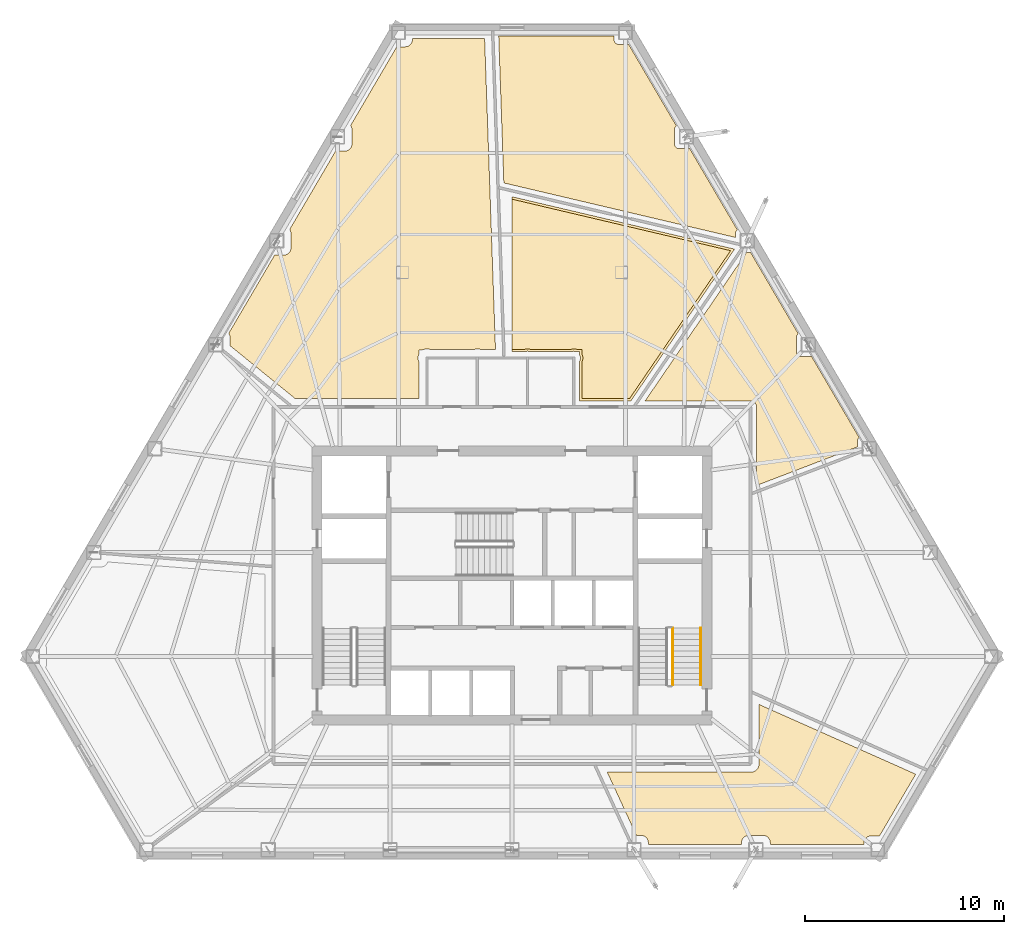
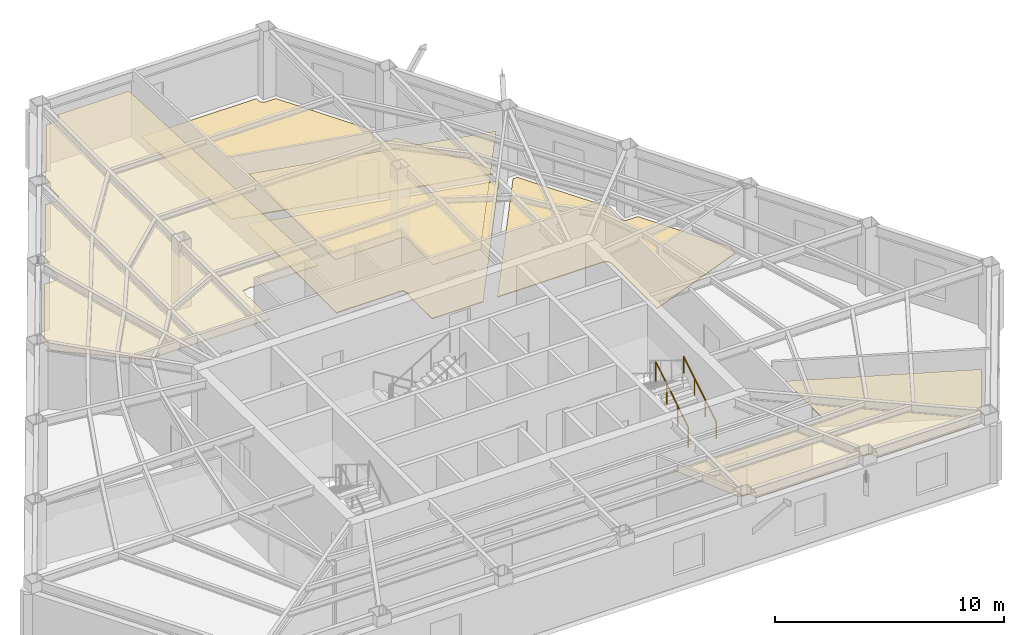
# One storey, part 13 of 13: 6 coverings, 2 railings.
"""IFC4 building model written with IfcOpenShell, lengths in metres."""

from ifc_helpers import new_model, si_unit, direction, frame, origin, origin_2d, place, context, subcontext, project, spatial, polyline, circle, outline, extrude, material, layer, layer_set, type_object, element, save


model = new_model("IFC4")

# Units and contexts
model_context = context("Model", 3, precision=1e-05, world=origin(), true_north=direction((0.0, 1.0)))
body_context = subcontext(model_context, "Body", "Model", "MODEL_VIEW")
ifc_project = project(units=[si_unit("LENGTHUNIT", "METRE"), si_unit("AREAUNIT", "SQUARE_METRE"), si_unit("VOLUMEUNIT", "CUBIC_METRE"), si_unit("PLANEANGLEUNIT", "RADIAN"), si_unit("MASSUNIT", "GRAM", prefix="KILO")], contexts=[model_context])

# Site, building, storey
site_placement = place(None, origin())
site = spatial("IfcSite", under=ifc_project, at=site_placement, CompositionType="ELEMENT")
building_placement = place(site_placement, origin())
building = spatial("IfcBuilding", under=site, at=building_placement, Name="Kavelnor Concourse Tower", CompositionType="ELEMENT")
storey_placement = place(building_placement, frame((0.0, 0.0, 131.699951171875)))
storey = spatial("IfcBuildingStorey", under=building, at=storey_placement, Name="L33", CompositionType="ELEMENT", Elevation=131.699951171875)

# Coverings
ifc_material_1 = material(Name="Mineral fibre acoustic ceiling tile")
ifc_layer_1 = layer(ifc_material_1, 0.0400390625, Name="Mineral fibre acoustic ceiling tile")
ifc_layer_set_1 = layer_set([ifc_layer_1], Name="Mineral fibre acoustic ceiling tile")
covering_type_1 = type_object("IfcCoveringType", Name="COV-CEILING-ACOUSTIC", PredefinedType="CEILING", material=ifc_layer_set_1)
covering_1_placement = place(storey_placement, frame((0.0, 0.0, 2.75)))
element("IfcCovering", 1, at=covering_1_placement, inside=storey, type_object=covering_type_1, Name="L33 Suspended Acoustic Ceiling", PredefinedType="CEILING", context=body_context, shape_type="SweptSolid", body=[
    extrude(outline(polyline([(43.89892578125, 25.472412109375), (41.5048828125, 25.472412109375), (41.5048828125, 27.3046875), (41.507568359375, 27.308837890625), (41.524658203125, 27.344970703125), (41.5380859375, 27.38232421875), (41.547607421875, 27.4208984375), (41.553466796875, 27.460205078125), (41.555419921875, 27.5), (41.553466796875, 27.539794921875), (41.547607421875, 27.5791015625), (41.5380859375, 27.61767578125), (41.524658203125, 27.655029296875), (41.507568359375, 27.691162109375), (41.49951171875, 27.704345703125), (41.498779296875, 27.93994140625), (41.239990234375, 27.93994140625), (41.2177734375, 27.947998046875), (41.17919921875, 27.95751953125), (41.1396484375, 27.96337890625), (41.10009765625, 27.96533203125), (41.060302734375, 27.96337890625), (41.02099609375, 27.95751953125), (40.982421875, 27.947998046875), (40.96337890625, 27.941162109375), (38.919921875, 27.93994140625), (38.897705078125, 27.947998046875), (38.859130859375, 27.95751953125), (38.819580078125, 27.96337890625), (38.780029296875, 27.96533203125), (38.740234375, 27.96337890625), (38.700927734375, 27.95751953125), (38.662353515625, 27.947998046875), (38.643310546875, 27.941162109375), (38.0048828125, 27.9404296875), (38.0048828125, 35.470947265625), (48.965087890625, 32.889892578125), (43.89892578125, 25.472412109375)])), origin(), (0.0, 0.0, 1.0), 0.0400390625),
])
covering_2_placement = place(storey_placement, frame((0.0, 0.0, 2.75)))
element("IfcCovering", 2, at=covering_2_placement, inside=storey, type_object=covering_type_1, Name="L33 Suspended Acoustic Ceiling", PredefinedType="CEILING", context=body_context, shape_type="SweptSolid", body=[
    extrude(outline(polyline([(26.58642578125, 32.6708984375), (26.621337890625, 32.676025390625), (26.65576171875, 32.6845703125), (26.68896484375, 32.696533203125), (26.720947265625, 32.711669921875), (26.751220703125, 32.729736328125), (26.77978515625, 32.7509765625), (26.805908203125, 32.774658203125), (26.82958984375, 32.80078125), (26.850830078125, 32.829345703125), (26.868896484375, 32.859619140625), (26.884033203125, 32.8916015625), (26.89599609375, 32.9248046875), (26.904541015625, 32.959228515625), (26.909912109375, 32.994140625), (26.9111328125, 33.021240234375), (26.9111328125, 33.7578125), (26.909912109375, 33.784912109375), (26.904541015625, 33.81982421875), (26.89599609375, 33.85400390625), (26.884033203125, 33.887451171875), (26.868896484375, 33.91943359375), (26.850830078125, 33.94970703125), (26.84716796875, 33.95458984375), (29.15087890625, 37.883544921875), (29.61669921875, 37.883544921875), (29.643798828125, 37.885009765625), (29.6787109375, 37.89013671875), (29.713134765625, 37.898681640625), (29.746337890625, 37.91064453125), (29.7783203125, 37.92578125), (29.80859375, 37.94384765625), (29.837158203125, 37.965087890625), (29.86328125, 37.98876953125), (29.88720703125, 38.014892578125), (29.908203125, 38.04345703125), (29.926513671875, 38.07373046875), (29.94140625, 38.105712890625), (29.953369140625, 38.138916015625), (29.9619140625, 38.17333984375), (29.96728515625, 38.208251953125), (29.968505859375, 38.2353515625), (29.968505859375, 38.971923828125), (29.96728515625, 38.998779296875), (29.9619140625, 39.033935546875), (29.953369140625, 39.068115234375), (29.94140625, 39.1015625), (29.926513671875, 39.133544921875), (29.908203125, 39.163818359375), (29.904541015625, 39.168701171875), (32.22021484375, 43.11767578125), (32.654296875, 43.11767578125), (32.681396484375, 43.118896484375), (32.71630859375, 43.124267578125), (32.75048828125, 43.1328125), (32.783935546875, 43.144775390625), (32.81591796875, 43.159912109375), (32.84619140625, 43.177978515625), (32.87451171875, 43.19921875), (32.90087890625, 43.222900390625), (32.924560546875, 43.2490234375), (32.94580078125, 43.277587890625), (32.9638671875, 43.307861328125), (32.97900390625, 43.33984375), (32.990966796875, 43.373046875), (32.99951171875, 43.407470703125), (33.004638671875, 43.4423828125), (33.006103515625, 43.469482421875), (33.006103515625, 43.53759765625), (36.626708984375, 43.53759765625), (37.17138671875, 27.93994140625), (36.39990234375, 27.93994140625), (36.377685546875, 27.947998046875), (36.339111328125, 27.95751953125), (36.2998046875, 27.96337890625), (36.260009765625, 27.96533203125), (36.22021484375, 27.96337890625), (36.180908203125, 27.95751953125), (36.142333984375, 27.947998046875), (36.123291015625, 27.941162109375), (33.8798828125, 27.93994140625), (33.857666015625, 27.947998046875), (33.819091796875, 27.95751953125), (33.77978515625, 27.96337890625), (33.739990234375, 27.96533203125), (33.7001953125, 27.96337890625), (33.660888671875, 27.95751953125), (33.622314453125, 27.947998046875), (33.5849609375, 27.9345703125), (33.573486328125, 27.92919921875), (33.340087890625, 27.899658203125), (33.340087890625, 27.70361328125), (33.33251953125, 27.691162109375), (33.3154296875, 27.655029296875), (33.302001953125, 27.61767578125), (33.29248046875, 27.5791015625), (33.28662109375, 27.539794921875), (33.28466796875, 27.5), (33.28662109375, 27.460205078125), (33.29248046875, 27.4208984375), (33.302001953125, 27.38232421875), (33.3154296875, 27.344970703125), (33.33251953125, 27.308837890625), (33.3349609375, 27.3046875), (33.3349609375, 25.472412109375), (27.119384765625, 25.472412109375), (23.853515625, 28.125244140625), (23.853515625, 28.543701171875), (23.852294921875, 28.57080078125), (23.84716796875, 28.605712890625), (23.83837890625, 28.64013671875), (23.82666015625, 28.67333984375), (23.8115234375, 28.705322265625), (23.793212890625, 28.735595703125), (23.78955078125, 28.740478515625), (26.093505859375, 32.66943359375), (26.559326171875, 32.66943359375), (26.58642578125, 32.6708984375)])), origin(), (0.0, 0.0, 1.0), 0.0400390625),
])
covering_3_placement = place(storey_placement, frame((0.0, 0.0, 2.75)))
element("IfcCovering", 3, at=covering_3_placement, inside=storey, type_object=covering_type_1, Name="L33 Suspended Acoustic Ceiling", PredefinedType="CEILING", context=body_context, shape_type="SweptSolid", body=[
    extrude(outline(polyline([(49.978271484375, 6.7275390625), (50.011474609375, 6.72900390625), (50.052490234375, 6.735107421875), (50.0927734375, 6.745361328125), (50.1318359375, 6.75927734375), (50.16943359375, 6.777099609375), (50.205078125, 6.79833984375), (50.23828125, 6.822998046875), (50.26904296875, 6.85107421875), (50.296875, 6.881591796875), (50.321533203125, 6.9150390625), (50.343017578125, 6.95068359375), (50.360595703125, 6.98828125), (50.374755859375, 7.027099609375), (50.384765625, 7.0673828125), (50.390869140625, 7.1083984375), (50.392578125, 7.1416015625), (50.392578125, 10.128173828125), (58.251953125, 6.62890625), (56.43701171875, 3.53369140625), (56.002685546875, 3.53369140625), (55.975830078125, 3.532470703125), (55.94091796875, 3.52734375), (55.906494140625, 3.518798828125), (55.873291015625, 3.5068359375), (55.84130859375, 3.49169921875), (55.810791015625, 3.473388671875), (55.782470703125, 3.452392578125), (55.75634765625, 3.4287109375), (55.732421875, 3.40234375), (55.71142578125, 3.3740234375), (55.693115234375, 3.34375), (55.677978515625, 3.311767578125), (55.666259765625, 3.2783203125), (55.65771484375, 3.244140625), (55.65234375, 3.208984375), (55.651123046875, 3.18212890625), (55.651123046875, 3.11376953125), (50.9541015625, 3.11376953125), (50.9541015625, 3.2021484375), (50.952880859375, 3.22900390625), (50.947509765625, 3.26416015625), (50.93896484375, 3.29833984375), (50.927001953125, 3.331787109375), (50.912109375, 3.36376953125), (50.893798828125, 3.39404296875), (50.872802734375, 3.42236328125), (50.848876953125, 3.448486328125), (50.82275390625, 3.472412109375), (50.794189453125, 3.493408203125), (50.763916015625, 3.51171875), (50.73193359375, 3.52685546875), (50.69873046875, 3.538818359375), (50.664306640625, 3.54736328125), (50.62939453125, 3.552490234375), (50.602294921875, 3.5537109375), (49.86572265625, 3.5537109375), (49.8388671875, 3.552490234375), (49.8037109375, 3.54736328125), (49.76953125, 3.538818359375), (49.736083984375, 3.52685546875), (49.7041015625, 3.51171875), (49.673828125, 3.493408203125), (49.6455078125, 3.472412109375), (49.619384765625, 3.448486328125), (49.595458984375, 3.42236328125), (49.574462890625, 3.39404296875), (49.55615234375, 3.36376953125), (49.541015625, 3.331787109375), (49.529296875, 3.29833984375), (49.5205078125, 3.26416015625), (49.515380859375, 3.22900390625), (49.51416015625, 3.2021484375), (49.51416015625, 3.11376953125), (44.8369140625, 3.11376953125), (44.8369140625, 3.2021484375), (44.835693359375, 3.22900390625), (44.83056640625, 3.26416015625), (44.822021484375, 3.29833984375), (44.81005859375, 3.331787109375), (44.794921875, 3.36376953125), (44.776611328125, 3.39404296875), (44.755615234375, 3.42236328125), (44.731689453125, 3.448486328125), (44.70556640625, 3.472412109375), (44.67724609375, 3.493408203125), (44.64697265625, 3.51171875), (44.614990234375, 3.52685546875), (44.58154296875, 3.538818359375), (44.54736328125, 3.54736328125), (44.51220703125, 3.552490234375), (44.4853515625, 3.5537109375), (44.241943359375, 3.5537109375), (42.778564453125, 6.7275390625), (49.978271484375, 6.7275390625)])), origin(), (0.0, 0.0, 1.0), 0.0400390625),
])
ifc_material_2 = material(Name="Honed bluestone and raised access floor finish", Category="masonry")
ifc_layer_2 = layer(ifc_material_2, 0.0400390625, Name="Honed bluestone and raised access floor finish")
ifc_layer_set_2 = layer_set([ifc_layer_2], Name="Honed bluestone and raised access floor finish")
covering_type_2 = type_object("IfcCoveringType", Name="COV-FLOOR-STONE", PredefinedType="FLOORING", material=ifc_layer_set_2)
covering_4_placement = place(storey_placement, frame((0.0, 0.0, 0.001953125)))
element("IfcCovering", 4, at=covering_4_placement, inside=storey, type_object=covering_type_2, Name="L33 Honed Bluestone Floor Finish", PredefinedType="FLOORING", context=body_context, shape_type="SweptSolid", body=[
    extrude(outline(polyline([(50.271240234375, 25.07958984375), (50.266845703125, 25.109130859375), (50.259765625, 25.137939453125), (50.249755859375, 25.166015625), (50.237060546875, 25.192626953125), (50.2216796875, 25.21826171875), (50.2041015625, 25.2421875), (50.18408203125, 25.26416015625), (50.162109375, 25.283935546875), (50.13818359375, 25.3017578125), (50.11279296875, 25.31689453125), (50.0859375, 25.32958984375), (50.057861328125, 25.339599609375), (50.029052734375, 25.346923828125), (49.999755859375, 25.351318359375), (49.975341796875, 25.3525390625), (44.6767578125, 25.3525390625), (49.75634765625, 32.78955078125), (49.975341796875, 32.78955078125), (52.358642578125, 28.724853515625), (52.35400390625, 28.72119140625), (52.33642578125, 28.705322265625), (52.320556640625, 28.68798828125), (52.306396484375, 28.6689453125), (52.29443359375, 28.648681640625), (52.2841796875, 28.62744140625), (52.2763671875, 28.605224609375), (52.270751953125, 28.58251953125), (52.26708984375, 28.55908203125), (52.266357421875, 28.541015625), (52.266357421875, 27.81005859375), (52.26708984375, 27.7919921875), (52.270751953125, 27.7685546875), (52.2763671875, 27.745849609375), (52.2841796875, 27.7236328125), (52.29443359375, 27.7021484375), (52.306396484375, 27.681884765625), (52.320556640625, 27.6630859375), (52.33642578125, 27.6455078125), (52.35400390625, 27.6298828125), (52.372802734375, 27.61572265625), (52.39306640625, 27.603515625), (52.414306640625, 27.593505859375), (52.4365234375, 27.585693359375), (52.45947265625, 27.579833984375), (52.482666015625, 27.576416015625), (52.5009765625, 27.575439453125), (53.03271484375, 27.575439453125), (55.416259765625, 23.5107421875), (55.411376953125, 23.507080078125), (55.393798828125, 23.4912109375), (55.378173828125, 23.473876953125), (55.364013671875, 23.454833984375), (55.351806640625, 23.434814453125), (55.341796875, 23.413330078125), (55.333984375, 23.39111328125), (55.328125, 23.368408203125), (55.32470703125, 23.344970703125), (55.32373046875, 23.326904296875), (55.32373046875, 23.047607421875), (50.2724609375, 21.114013671875), (50.2724609375, 25.055419921875), (50.271240234375, 25.07958984375)])), origin(), (0.0, 0.0, 1.0), 0.0400390625),
])
covering_5_placement = place(storey_placement, frame((0.0, 0.0, 0.001953125)))
element("IfcCovering", 5, at=covering_5_placement, inside=storey, type_object=covering_type_2, Name="L33 Honed Bluestone Floor Finish", PredefinedType="FLOORING", context=body_context, shape_type="SweptSolid", body=[
    extrude(outline(polyline([(43.96240234375, 25.3525390625), (41.385009765625, 25.3525390625), (41.385009765625, 27.338623046875), (41.38720703125, 27.341552734375), (41.401611328125, 27.365478515625), (41.41357421875, 27.390869140625), (41.423095703125, 27.417236328125), (41.4296875, 27.4443359375), (41.433837890625, 27.471923828125), (41.435302734375, 27.5), (41.433837890625, 27.528076171875), (41.4296875, 27.5556640625), (41.423095703125, 27.582763671875), (41.41357421875, 27.609130859375), (41.401611328125, 27.634521484375), (41.38720703125, 27.658447265625), (41.3798828125, 27.66845703125), (41.379150390625, 27.820068359375), (41.216796875, 27.820068359375), (41.209228515625, 27.823486328125), (41.182861328125, 27.8330078125), (41.15576171875, 27.83984375), (41.1279296875, 27.843994140625), (41.10009765625, 27.84521484375), (41.072021484375, 27.843994140625), (41.044189453125, 27.83984375), (41.01708984375, 27.8330078125), (40.99072265625, 27.823486328125), (40.98583984375, 27.8212890625), (38.896484375, 27.820068359375), (38.88916015625, 27.823486328125), (38.86279296875, 27.8330078125), (38.835693359375, 27.83984375), (38.80810546875, 27.843994140625), (38.780029296875, 27.84521484375), (38.751953125, 27.843994140625), (38.724365234375, 27.83984375), (38.697265625, 27.8330078125), (38.6708984375, 27.823486328125), (38.665771484375, 27.8212890625), (38.0048828125, 27.8203125), (38.0048828125, 35.59423828125), (49.162841796875, 32.966796875), (43.96240234375, 25.3525390625)])), origin(), (0.0, 0.0, 1.0), 0.0400390625),
])
covering_6_placement = place(storey_placement, frame((0.0, 0.0, 0.001953125)))
element("IfcCovering", 6, at=covering_6_placement, inside=storey, type_object=covering_type_2, Name="L33 Honed Bluestone Floor Finish", PredefinedType="FLOORING", context=body_context, shape_type="SweptSolid", body=[
    extrude(outline(polyline([(43.114013671875, 43.65771484375), (43.114013671875, 43.472412109375), (43.114990234375, 43.4541015625), (43.118408203125, 43.430908203125), (43.1240234375, 43.407958984375), (43.132080078125, 43.3857421875), (43.14208984375, 43.364501953125), (43.154296875, 43.34423828125), (43.168212890625, 43.3251953125), (43.18408203125, 43.307861328125), (43.20166015625, 43.2919921875), (43.220458984375, 43.27783203125), (43.24072265625, 43.265869140625), (43.26220703125, 43.255615234375), (43.2841796875, 43.247802734375), (43.30712890625, 43.2421875), (43.330322265625, 43.238525390625), (43.3486328125, 43.23779296875), (43.8486328125, 43.23779296875), (46.243896484375, 39.15283203125), (46.239013671875, 39.1494140625), (46.2216796875, 39.133544921875), (46.205810546875, 39.115966796875), (46.191650390625, 39.09716796875), (46.1796875, 39.076904296875), (46.16943359375, 39.055419921875), (46.16162109375, 39.033203125), (46.156005859375, 39.010498046875), (46.15234375, 38.9873046875), (46.151611328125, 38.968994140625), (46.151611328125, 38.23828125), (46.15234375, 38.219970703125), (46.156005859375, 38.19677734375), (46.16162109375, 38.173828125), (46.16943359375, 38.151611328125), (46.1796875, 38.13037109375), (46.191650390625, 38.110107421875), (46.205810546875, 38.09130859375), (46.2216796875, 38.07373046875), (46.239013671875, 38.057861328125), (46.258056640625, 38.043701171875), (46.2783203125, 38.03173828125), (46.299560546875, 38.021484375), (46.32177734375, 38.013671875), (46.344482421875, 38.008056640625), (46.367919921875, 38.00439453125), (46.385986328125, 38.003662109375), (46.917724609375, 38.003662109375), (49.30126953125, 33.938720703125), (49.29638671875, 33.935302734375), (49.279052734375, 33.91943359375), (49.26318359375, 33.90185546875), (49.2490234375, 33.883056640625), (49.237060546875, 33.86279296875), (49.226806640625, 33.84130859375), (49.218994140625, 33.819091796875), (49.21337890625, 33.79638671875), (49.209716796875, 33.773193359375), (49.208984375, 33.7548828125), (49.208984375, 33.5517578125), (37.590087890625, 36.287841796875), (37.332763671875, 43.65771484375), (43.114013671875, 43.65771484375)])), origin(), (0.0, 0.0, 1.0), 0.0400390625),
])

# Railings
ifc_material_3 = material(Name="Steel Grade 350", Category="steel")
railing_type_1 = type_object("IfcRailingType", Name="RLG-GUARD-1100", PredefinedType="GUARDRAIL", material=ifc_material_3)
railing_1_placement = place(storey_placement, frame((46.070068359375, 11.10009765625, 0.175048828125)))
element("IfcRailing", 7, at=railing_1_placement, inside=storey, type_object=railing_type_1, Name="L33 ST2 stair guard 1", PredefinedType="GUARDRAIL", context=body_context, shape_type="SweptSolid", body=[
    extrude(circle(Radius=0.02392578125, at=origin_2d()), frame((0.0, 0.0, 1.076171875), z_axis=(0.0, 0.852159232446, 0.523282564737), x_axis=(-1.0, 0.0, 0.0)), (0.0, 0.0, 1.0), 3.34423828125),
    extrude(circle(Radius=0.02099609375, at=origin_2d()), origin(), (0.0, 0.0, 1.0), 1.052001953125),
    extrude(circle(Radius=0.02099609375, at=origin_2d()), frame((0.0, 0.949951171875, 0.583251953125)), (0.0, 0.0, 1.0), 1.052001953125),
    extrude(circle(Radius=0.02099609375, at=origin_2d()), frame((0.0, 1.89990234375, 1.166748046875)), (0.0, 0.0, 1.0), 1.052001953125),
    extrude(circle(Radius=0.02099609375, at=origin_2d()), frame((0.0, 2.849853515625, 1.75)), (0.0, 0.0, 1.0), 1.052001953125),
])
railing_type_2 = type_object("IfcRailingType", Name="RLG-HANDRAIL-900", PredefinedType="HANDRAIL", material=ifc_material_3)
railing_2_placement = place(storey_placement, frame((47.469970703125, 11.10009765625, 0.175048828125)))
element("IfcRailing", 8, at=railing_2_placement, inside=storey, type_object=railing_type_2, Name="L33 ST2 stair handrail 1", PredefinedType="HANDRAIL", context=body_context, shape_type="SweptSolid", body=[
    extrude(circle(Radius=0.02392578125, at=origin_2d()), frame((0.0, 0.0, 0.8759765625), z_axis=(0.0, 0.852159232446, 0.523282564737), x_axis=(-1.0, 0.0, 0.0)), (0.0, 0.0, 1.0), 3.34423828125),
    extrude(circle(Radius=0.02099609375, at=origin_2d()), origin(), (0.0, 0.0, 1.0), 0.851806640625),
    extrude(circle(Radius=0.02099609375, at=origin_2d()), frame((0.0, 0.949951171875, 0.583251953125)), (0.0, 0.0, 1.0), 0.851806640625),
    extrude(circle(Radius=0.02099609375, at=origin_2d()), frame((0.0, 1.89990234375, 1.166748046875)), (0.0, 0.0, 1.0), 0.851806640625),
    extrude(circle(Radius=0.02099609375, at=origin_2d()), frame((0.0, 2.849853515625, 1.75)), (0.0, 0.0, 1.0), 0.851806640625),
])

save(model, "model.ifc")
